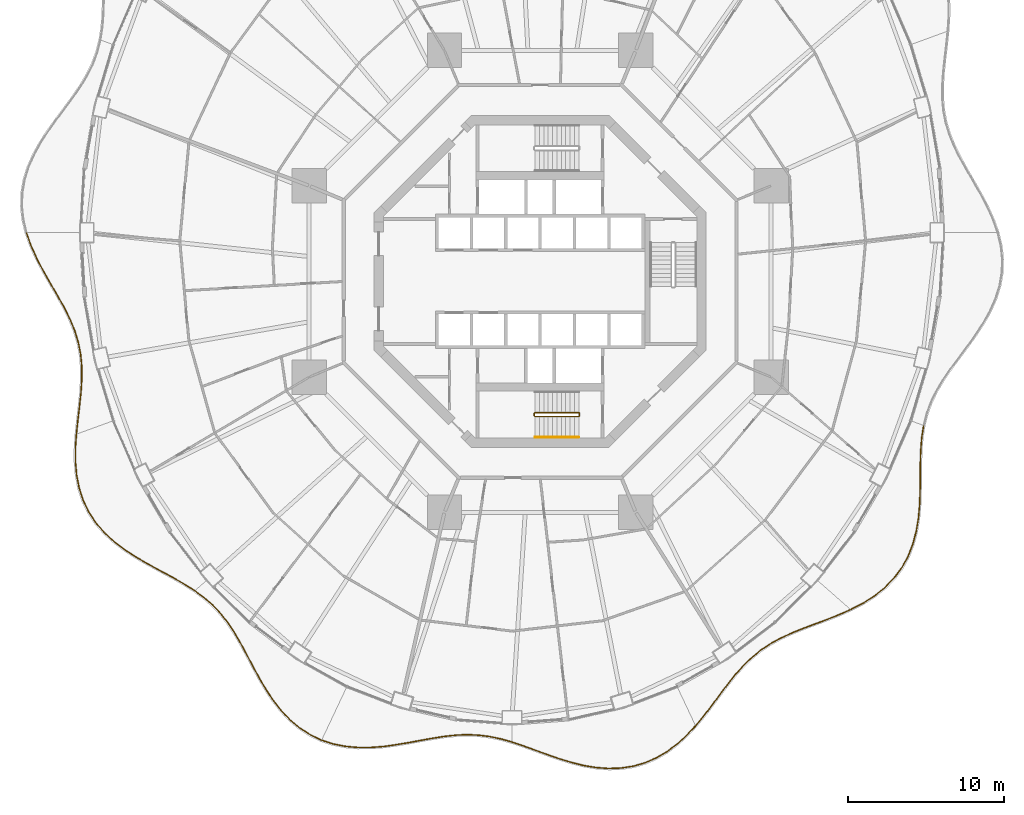
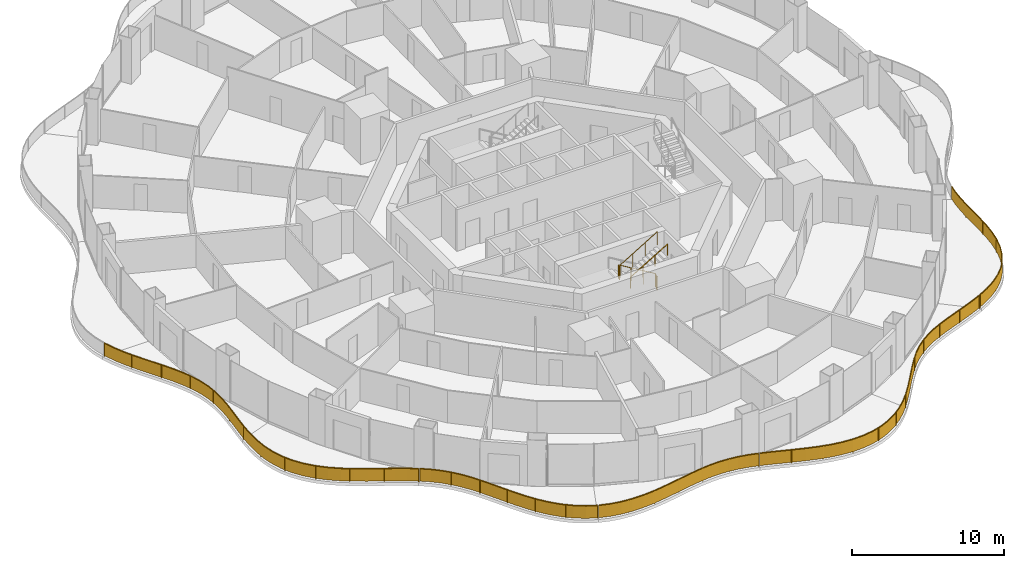
# One storey, part 21 of 23: 9 railings.
"""IFC4 building model written with IfcOpenShell, lengths in metres."""

from ifc_helpers import new_model, si_unit, direction, frame, origin, origin_2d, place, context, subcontext, project, spatial, polyline, rectangle, circle, outline, extrude, material, type_object, element, save


model = new_model("IFC4")

# Units and contexts
model_context = context("Model", 3, precision=1e-05, world=origin(), true_north=direction((0.0, 1.0)))
body_context = subcontext(model_context, "Body", "Model", "MODEL_VIEW")
ifc_project = project(units=[si_unit("LENGTHUNIT", "METRE"), si_unit("AREAUNIT", "SQUARE_METRE"), si_unit("VOLUMEUNIT", "CUBIC_METRE"), si_unit("PLANEANGLEUNIT", "RADIAN"), si_unit("MASSUNIT", "GRAM", prefix="KILO")], contexts=[model_context])

# Site, building, storey
site_placement = place(None, origin())
site = spatial("IfcSite", under=ifc_project, at=site_placement, CompositionType="ELEMENT")
building_placement = place(site_placement, origin())
building = spatial("IfcBuilding", under=site, at=building_placement, Name="Nagisa Residences", CompositionType="ELEMENT")
storey_placement = place(building_placement, frame((0.0, 0.0, 110.300048828125)))
storey = spatial("IfcBuildingStorey", under=building, at=storey_placement, Name="L27", CompositionType="ELEMENT", Elevation=110.300048828125)

# Railings
ifc_material_1 = material(Name="Stainless steel 316", Category="steel")
railing_type_1 = type_object("IfcRailingType", Name="BALCONY GUARD 1100", PredefinedType="BALUSTRADE", material=ifc_material_1)
railing_1_placement = place(storey_placement, frame((-32.86083984375, 3.081298828125, 0.0)))
element("IfcRailing", 1, at=railing_1_placement, inside=storey, type_object=railing_type_1, Name="guard:L27:bal08-0", PredefinedType="BALUSTRADE", context=body_context, shape_type="SweptSolid", body=[
    extrude(outline(polyline([(0.3046875, -0.785400390625), (0.023681640625, 0.00830078125), (-0.023681640625, -0.00830078125), (0.25830078125, -0.803955078125), (0.62939453125, -1.62841796875), (1.052001953125, -2.4345703125), (1.50048828125, -3.22216796875), (1.948486328125, -3.992919921875), (2.36865234375, -4.73681640625), (2.742919921875, -5.48681640625), (3.052001953125, -6.23681640625), (3.28466796875, -6.9931640625), (3.436279296875, -7.763671875), (3.505615234375, -8.541015625), (3.5068359375, -9.356689453125), (3.452392578125, -10.19873046875), (3.36083984375, -11.06689453125), (3.255615234375, -11.956787109375), (3.16455078125, -12.81640625), (3.21435546875, -12.82177734375), (3.305419921875, -11.962158203125), (3.41064453125, -11.072265625), (3.502197265625, -10.203125), (3.55712890625, -9.358154296875), (3.555419921875, -8.53857421875), (3.486083984375, -7.7568359375), (3.33349609375, -6.98095703125), (3.099365234375, -6.2197265625), (2.788330078125, -5.46630859375), (2.4130859375, -4.71337890625), (1.991943359375, -3.968017578125), (1.5439453125, -3.197265625), (1.095947265625, -2.41064453125), (0.67431640625, -1.6064453125), (0.3046875, -0.785400390625)])), frame((0.0, 0.0, 1.050048828125)), (0.0, 0.0, 1.0), 0.050048828125),
    extrude(outline(polyline([(0.2880859375, -0.7919921875), (0.006591796875, 0.00244140625), (-0.006591796875, -0.00244140625), (0.27490234375, -0.79736328125), (0.6455078125, -1.62060546875), (1.06787109375, -2.426025390625), (1.51611328125, -3.213134765625), (1.964111328125, -3.98388671875), (2.384765625, -4.728271484375), (2.75927734375, -5.4794921875), (3.069091796875, -6.230712890625), (3.30224609375, -6.98876953125), (3.454345703125, -7.76123046875), (3.5234375, -8.5400390625), (3.52490234375, -9.357177734375), (3.47021484375, -10.200439453125), (3.37890625, -11.06884765625), (3.273681640625, -11.958740234375), (3.182373046875, -12.818359375), (3.196533203125, -12.81982421875), (3.287353515625, -11.960205078125), (3.392578125, -11.0703125), (3.484375, -10.201416015625), (3.5390625, -9.357666015625), (3.53759765625, -8.53955078125), (3.468017578125, -7.75927734375), (3.31591796875, -6.9853515625), (3.082275390625, -6.225830078125), (2.77197265625, -5.4736328125), (2.39697265625, -4.721923828125), (1.976318359375, -3.97705078125), (1.5283203125, -3.206298828125), (1.080078125, -2.419189453125), (0.658203125, -1.6142578125), (0.2880859375, -0.7919921875)])), frame((0.0, 0.0, 0.06005859375)), (0.0, 0.0, 1.0), 0.989990234375),
    extrude(rectangle(XDim=0.0400390625, YDim=0.0400390625, at=origin_2d()), origin(), (0.0, 0.0, 1.0), 1.050048828125),
    extrude(rectangle(XDim=0.0400390625, YDim=0.0400390625, at=origin_2d()), frame((0.8955078125, -2.082275390625, 0.0)), (0.0, 0.0, 1.0), 1.050048828125),
    extrude(rectangle(XDim=0.0400390625, YDim=0.0400390625, at=origin_2d()), frame((2.013916015625, -4.0576171875, 0.0)), (0.0, 0.0, 1.0), 1.050048828125),
    extrude(rectangle(XDim=0.0400390625, YDim=0.0400390625, at=origin_2d()), frame((3.018798828125, -6.09033203125, 0.0)), (0.0, 0.0, 1.0), 1.050048828125),
    extrude(rectangle(XDim=0.0400390625, YDim=0.0400390625, at=origin_2d()), frame((3.509033203125, -8.297119140625, 0.0)), (0.0, 0.0, 1.0), 1.050048828125),
    extrude(rectangle(XDim=0.0400390625, YDim=0.0400390625, at=origin_2d()), frame((3.439208984375, -10.562744140625, 0.0)), (0.0, 0.0, 1.0), 1.050048828125),
    extrude(rectangle(XDim=0.0400390625, YDim=0.0400390625, at=origin_2d()), frame((3.189453125, -12.819091796875, 0.0)), (0.0, 0.0, 1.0), 1.050048828125),
])
railing_2_placement = place(storey_placement, frame((-29.67919921875, -9.814208984375, 0.0)))
element("IfcRailing", 2, at=railing_2_placement, inside=storey, type_object=railing_type_1, Name="guard:L27:bal09-0", PredefinedType="BALUSTRADE", context=body_context, shape_type="SweptSolid", body=[
    extrude(outline(polyline([(-0.03076171875, -0.83740234375), (0.02490234375, -0.001708984375), (-0.02490234375, 0.001708984375), (-0.08056640625, -0.8359375), (-0.08154296875, -1.71435546875), (-0.007568359375, -2.577880859375), (0.155029296875, -3.41455078125), (0.415771484375, -4.214111328125), (0.772216796875, -4.9541015625), (1.2353515625, -5.65380859375), (1.791015625, -6.296142578125), (2.42724609375, -6.88134765625), (3.12744140625, -7.411865234375), (3.864013671875, -7.88232421875), (4.633056640625, -8.32763671875), (5.406005859375, -8.748291015625), (6.163818359375, -9.158447265625), (6.889892578125, -9.5732421875), (7.53662109375, -9.98388671875), (7.5634765625, -9.94140625), (6.915771484375, -9.5302734375), (6.188232421875, -9.114501953125), (5.429931640625, -8.704345703125), (4.657470703125, -8.2841796875), (3.889892578125, -7.83935546875), (3.15625, -7.370849609375), (2.45947265625, -6.8427734375), (1.8271484375, -6.261474609375), (1.275390625, -5.62353515625), (0.815673828125, -4.92919921875), (0.462158203125, -4.195556640625), (0.203369140625, -3.40185546875), (0.042236328125, -2.571044921875), (-0.03125, -1.71240234375), (-0.03076171875, -0.83740234375)])), frame((0.0, 0.0, 1.050048828125)), (0.0, 0.0, 1.0), 0.050048828125),
    extrude(outline(polyline([(-0.048583984375, -0.8369140625), (0.007080078125, -0.00048828125), (-0.007080078125, 0.00048828125), (-0.062744140625, -0.83642578125), (-0.0634765625, -1.713623046875), (0.010498046875, -2.575439453125), (0.17236328125, -3.409912109375), (0.432373046875, -4.20751953125), (0.787841796875, -4.945068359375), (1.249755859375, -5.642822265625), (1.803955078125, -6.28369140625), (2.43896484375, -6.867431640625), (3.137939453125, -7.397216796875), (3.873291015625, -7.86669921875), (4.641845703125, -8.31201171875), (5.41455078125, -8.732421875), (6.172607421875, -9.142578125), (6.899169921875, -9.557861328125), (7.54638671875, -9.968505859375), (7.5537109375, -9.956787109375), (6.906494140625, -9.545654296875), (6.179443359375, -9.13037109375), (5.42138671875, -8.72021484375), (4.648681640625, -8.2998046875), (3.880615234375, -7.85498046875), (3.145751953125, -7.385498046875), (2.44775390625, -6.856689453125), (1.814208984375, -6.27392578125), (1.260986328125, -5.634521484375), (0.800048828125, -4.938232421875), (0.445556640625, -4.2021484375), (0.18603515625, -3.406494140625), (0.024169921875, -2.573486328125), (-0.04931640625, -1.713134765625), (-0.048583984375, -0.8369140625)])), frame((0.0, 0.0, 0.06005859375)), (0.0, 0.0, 1.0), 0.989990234375),
    extrude(rectangle(XDim=0.0400390625, YDim=0.0400390625, at=origin_2d()), origin(), (0.0, 0.0, 1.0), 1.050048828125),
    extrude(rectangle(XDim=0.0400390625, YDim=0.0400390625, at=origin_2d()), frame((-0.00927734375, -2.264404296875, 0.0)), (0.0, 0.0, 1.0), 1.050048828125),
    extrude(rectangle(XDim=0.0400390625, YDim=0.0400390625, at=origin_2d()), frame((0.55615234375, -4.4482421875, 0.0)), (0.0, 0.0, 1.0), 1.050048828125),
    extrude(rectangle(XDim=0.0400390625, YDim=0.0400390625, at=origin_2d()), frame((1.83740234375, -6.3046875, 0.0)), (0.0, 0.0, 1.0), 1.050048828125),
    extrude(rectangle(XDim=0.0400390625, YDim=0.0400390625, at=origin_2d()), frame((3.62109375, -7.697509765625, 0.0)), (0.0, 0.0, 1.0), 1.050048828125),
    extrude(rectangle(XDim=0.0400390625, YDim=0.0400390625, at=origin_2d()), frame((5.59130859375, -8.820068359375, 0.0)), (0.0, 0.0, 1.0), 1.050048828125),
    extrude(rectangle(XDim=0.0400390625, YDim=0.0400390625, at=origin_2d()), frame((7.550048828125, -9.962646484375, 0.0)), (0.0, 0.0, 1.0), 1.050048828125),
])
railing_3_placement = place(storey_placement, frame((-22.069091796875, -19.8154296875, 0.0)))
element("IfcRailing", 3, at=railing_3_placement, inside=storey, type_object=railing_type_1, Name="guard:L27:bal10-0", PredefinedType="BALUSTRADE", context=body_context, shape_type="SweptSolid", body=[
    extrude(outline(polyline([(0.58349609375, -0.39990234375), (0.014892578125, 0.02001953125), (-0.014892578125, -0.02001953125), (0.55224609375, -0.43896484375), (1.1025390625, -0.922607421875), (1.603515625, -1.45263671875), (2.06005859375, -2.0322265625), (2.48095703125, -2.661376953125), (2.864990234375, -3.32470703125), (3.24951171875, -4.03564453125), (3.635986328125, -4.771240234375), (4.03857421875, -5.5166015625), (4.470458984375, -6.255126953125), (4.92919921875, -6.95947265625), (5.44970703125, -7.629150390625), (6.025390625, -8.238525390625), (6.657958984375, -8.77197265625), (7.34619140625, -9.21875), (8.041259765625, -9.549072265625), (8.062744140625, -9.503662109375), (7.37060546875, -9.1748046875), (6.687744140625, -8.73193359375), (6.06005859375, -8.201904296875), (5.48779296875, -7.596435546875), (4.97021484375, -6.93017578125), (4.512939453125, -6.228759765625), (4.08203125, -5.4921875), (3.679931640625, -4.747802734375), (3.29345703125, -4.01220703125), (2.908447265625, -3.30029296875), (2.5234375, -2.635009765625), (2.1005859375, -2.0029296875), (1.6416015625, -1.419921875), (1.13720703125, -0.886474609375), (0.58349609375, -0.39990234375)])), frame((0.0, 0.0, 1.050048828125)), (0.0, 0.0, 1.0), 0.050048828125),
    extrude(outline(polyline([(0.572265625, -0.4140625), (0.004150390625, 0.005615234375), (-0.004150390625, -0.005615234375), (0.5634765625, -0.4248046875), (1.114990234375, -0.90966796875), (1.6171875, -1.44091796875), (2.07470703125, -2.021728515625), (2.496337890625, -2.65185546875), (2.880615234375, -3.31591796875), (3.265380859375, -4.027099609375), (3.65185546875, -4.7626953125), (4.05419921875, -5.5078125), (4.48583984375, -6.24560546875), (4.944091796875, -6.948974609375), (5.46337890625, -7.617431640625), (6.037841796875, -8.225341796875), (6.668701171875, -8.757568359375), (7.35498046875, -9.202880859375), (8.049072265625, -9.53271484375), (8.054931640625, -9.52001953125), (7.36181640625, -9.190673828125), (6.677001953125, -8.746337890625), (6.047607421875, -8.215087890625), (5.47412109375, -7.608154296875), (4.955322265625, -6.940673828125), (4.49755859375, -6.23828125), (4.06640625, -5.5009765625), (3.6640625, -4.75634765625), (3.277587890625, -4.020751953125), (2.892822265625, -3.30908203125), (2.508056640625, -2.64453125), (2.0859375, -2.013427734375), (1.6279296875, -1.431640625), (1.124755859375, -0.8994140625), (0.572265625, -0.4140625)])), frame((0.0, 0.0, 0.06005859375)), (0.0, 0.0, 1.0), 0.989990234375),
    extrude(rectangle(XDim=0.0400390625, YDim=0.0400390625, at=origin_2d()), origin(), (0.0, 0.0, 1.0), 1.050048828125),
    extrude(rectangle(XDim=0.0400390625, YDim=0.0400390625, at=origin_2d()), frame((1.585205078125, -1.396728515625, 0.0)), (0.0, 0.0, 1.0), 1.050048828125),
    extrude(rectangle(XDim=0.0400390625, YDim=0.0400390625, at=origin_2d()), frame((2.785400390625, -3.137451171875, 0.0)), (0.0, 0.0, 1.0), 1.050048828125),
    extrude(rectangle(XDim=0.0400390625, YDim=0.0400390625, at=origin_2d()), frame((3.789306640625, -5.002685546875, 0.0)), (0.0, 0.0, 1.0), 1.050048828125),
    extrude(rectangle(XDim=0.0400390625, YDim=0.0400390625, at=origin_2d()), frame((4.870361328125, -6.822998046875, 0.0)), (0.0, 0.0, 1.0), 1.050048828125),
    extrude(rectangle(XDim=0.0400390625, YDim=0.0400390625, at=origin_2d()), frame((6.265380859375, -8.408203125, 0.0)), (0.0, 0.0, 1.0), 1.050048828125),
    extrude(rectangle(XDim=0.0400390625, YDim=0.0400390625, at=origin_2d()), frame((8.052001953125, -9.5263671875, 0.0)), (0.0, 0.0, 1.0), 1.050048828125),
])
railing_4_placement = place(storey_placement, frame((-13.9453125, -29.370361328125, 0.0)))
element("IfcRailing", 4, at=railing_4_placement, inside=storey, type_object=railing_type_1, Name="guard:L27:bal11-0", PredefinedType="BALUSTRADE", context=body_context, shape_type="SweptSolid", body=[
    extrude(outline(polyline([(0.712646484375, -0.205322265625), (0.0078125, 0.023681640625), (-0.0078125, -0.023681640625), (0.699951171875, -0.253662109375), (1.486572265625, -0.409912109375), (2.296875, -0.48193359375), (3.1201171875, -0.47900390625), (3.947509765625, -0.41552734375), (4.753662109375, -0.30078125), (5.564697265625, -0.16357421875), (6.35888671875, -0.0166015625), (7.13330078125, 0.1220703125), (7.88671875, 0.236083984375), (8.603271484375, 0.313720703125), (9.321533203125, 0.3388671875), (10.02880859375, 0.307373046875), (10.731201171875, 0.21630859375), (11.43505859375, 0.067626953125), (12.103759765625, -0.121337890625), (12.117431640625, -0.072998046875), (11.447265625, 0.116455078125), (10.739501953125, 0.265625), (10.033203125, 0.357177734375), (9.321533203125, 0.38916015625), (8.599853515625, 0.363525390625), (7.88037109375, 0.285888671875), (7.125, 0.17138671875), (6.35009765625, 0.03271484375), (5.555908203125, -0.1142578125), (4.745849609375, -0.25146484375), (3.942138671875, -0.36572265625), (3.1181640625, -0.42919921875), (2.298828125, -0.431640625), (1.493896484375, -0.360107421875), (0.712646484375, -0.205322265625)])), frame((0.0, 0.0, 1.050048828125)), (0.0, 0.0, 1.0), 0.050048828125),
    extrude(outline(polyline([(0.7080078125, -0.22265625), (0.002197265625, 0.006591796875), (-0.002197265625, -0.006591796875), (0.70458984375, -0.236328125), (1.4892578125, -0.391845703125), (2.297607421875, -0.4638671875), (3.119384765625, -0.461181640625), (3.945556640625, -0.397705078125), (4.750732421875, -0.282958984375), (5.5615234375, -0.145751953125), (6.355712890625, 0.001220703125), (7.13037109375, 0.139892578125), (7.884521484375, 0.254150390625), (8.60205078125, 0.33154296875), (9.321533203125, 0.35693359375), (10.030517578125, 0.3251953125), (10.734130859375, 0.234130859375), (11.439453125, 0.085205078125), (12.108642578125, -0.10400390625), (12.112548828125, -0.09033203125), (11.44287109375, 0.098876953125), (10.736572265625, 0.247802734375), (10.031494140625, 0.33935546875), (9.321533203125, 0.37109375), (8.60107421875, 0.345703125), (7.882568359375, 0.267822265625), (7.1279296875, 0.153564453125), (6.353271484375, 0.014892578125), (5.55908203125, -0.132080078125), (4.748779296875, -0.269287109375), (3.944091796875, -0.383544921875), (3.118896484375, -0.447021484375), (2.298095703125, -0.44970703125), (1.4912109375, -0.378173828125), (0.7080078125, -0.22265625)])), frame((0.0, 0.0, 0.06005859375)), (0.0, 0.0, 1.0), 0.989990234375),
    extrude(rectangle(XDim=0.0400390625, YDim=0.0400390625, at=origin_2d()), origin(), (0.0, 0.0, 1.0), 1.050048828125),
    extrude(rectangle(XDim=0.0400390625, YDim=0.0400390625, at=origin_2d()), frame((1.9921875, -0.4296875, 0.0)), (0.0, 0.0, 1.0), 1.050048828125),
    extrude(rectangle(XDim=0.0400390625, YDim=0.0400390625, at=origin_2d()), frame((4.033447265625, -0.3779296875, 0.0)), (0.0, 0.0, 1.0), 1.050048828125),
    extrude(rectangle(XDim=0.0400390625, YDim=0.0400390625, at=origin_2d()), frame((6.05224609375, -0.0478515625, 0.0)), (0.0, 0.0, 1.0), 1.050048828125),
    extrude(rectangle(XDim=0.0400390625, YDim=0.0400390625, at=origin_2d()), frame((8.07080078125, 0.28125, 0.0)), (0.0, 0.0, 1.0), 1.050048828125),
    extrude(rectangle(XDim=0.0400390625, YDim=0.0400390625, at=origin_2d()), frame((10.11181640625, 0.32177734375, 0.0)), (0.0, 0.0, 1.0), 1.050048828125),
    extrude(rectangle(XDim=0.0400390625, YDim=0.0400390625, at=origin_2d()), frame((12.110595703125, -0.09716796875, 0.0)), (0.0, 0.0, 1.0), 1.050048828125),
])
railing_5_placement = place(storey_placement, frame((-1.765869140625, -29.490966796875, 0.0)))
element("IfcRailing", 5, at=railing_5_placement, inside=storey, type_object=railing_type_1, Name="guard:L27:bal12-0", PredefinedType="BALUSTRADE", context=body_context, shape_type="SweptSolid", body=[
    extrude(outline(polyline([(0.690673828125, -0.205078125), (0.008056640625, 0.023681640625), (-0.008056640625, -0.023681640625), (0.674072265625, -0.25244140625), (1.41552734375, -0.52001953125), (2.17578125, -0.798583984375), (2.954345703125, -1.068359375), (3.74951171875, -1.311767578125), (4.5400390625, -1.51171875), (5.3544921875, -1.646728515625), (6.16796875, -1.704833984375), (6.97216796875, -1.6748046875), (7.759033203125, -1.549560546875), (8.503173828125, -1.33203125), (9.231201171875, -1.01318359375), (9.9208984375, -0.605224609375), (10.569091796875, -0.117919921875), (11.175537109375, 0.435302734375), (11.707275390625, 1.006103515625), (11.670654296875, 1.040283203125), (11.140380859375, 0.470947265625), (10.537353515625, -0.079345703125), (9.89306640625, -0.563720703125), (9.208251953125, -0.96875), (8.486083984375, -1.28466796875), (7.747802734375, -1.500732421875), (6.96728515625, -1.625), (6.1689453125, -1.654541015625), (5.3603515625, -1.596923828125), (4.55029296875, -1.462890625), (3.76318359375, -1.263427734375), (2.969970703125, -1.02099609375), (2.1923828125, -0.751220703125), (1.4326171875, -0.47314453125), (0.690673828125, -0.205078125)])), frame((0.0, 0.0, 1.050048828125)), (0.0, 0.0, 1.0), 0.050048828125),
    extrude(outline(polyline([(0.6845703125, -0.22216796875), (0.002197265625, 0.006591796875), (-0.002197265625, -0.006591796875), (0.68017578125, -0.2353515625), (1.421630859375, -0.503173828125), (2.181640625, -0.781494140625), (2.9599609375, -1.05126953125), (3.75439453125, -1.29443359375), (4.543701171875, -1.494140625), (5.356689453125, -1.62890625), (6.16845703125, -1.686767578125), (6.970458984375, -1.656982421875), (7.7548828125, -1.531982421875), (8.4970703125, -1.31494140625), (9.222900390625, -0.997314453125), (9.910888671875, -0.59033203125), (10.5576171875, -0.10400390625), (11.162841796875, 0.4482421875), (11.694091796875, 1.018310546875), (11.683837890625, 1.028076171875), (11.153076171875, 0.4580078125), (10.548828125, -0.09326171875), (9.903076171875, -0.57861328125), (9.216552734375, -0.984619140625), (8.4921875, -1.3017578125), (7.751953125, -1.518310546875), (6.968994140625, -1.642822265625), (6.16845703125, -1.672607421875), (5.358154296875, -1.61474609375), (4.546630859375, -1.48046875), (3.75830078125, -1.28076171875), (2.96435546875, -1.0380859375), (2.1865234375, -0.768310546875), (1.426513671875, -0.489990234375), (0.6845703125, -0.22216796875)])), frame((0.0, 0.0, 0.06005859375)), (0.0, 0.0, 1.0), 0.989990234375),
    extrude(rectangle(XDim=0.0400390625, YDim=0.0400390625, at=origin_2d()), origin(), (0.0, 0.0, 1.0), 1.050048828125),
    extrude(rectangle(XDim=0.0400390625, YDim=0.0400390625, at=origin_2d()), frame((2.0087890625, -0.710693359375, 0.0)), (0.0, 0.0, 1.0), 1.050048828125),
    extrude(rectangle(XDim=0.0400390625, YDim=0.0400390625, at=origin_2d()), frame((4.03759765625, -1.35888671875, 0.0)), (0.0, 0.0, 1.0), 1.050048828125),
    extrude(rectangle(XDim=0.0400390625, YDim=0.0400390625, at=origin_2d()), frame((6.1396484375, -1.677734375, 0.0)), (0.0, 0.0, 1.0), 1.050048828125),
    extrude(rectangle(XDim=0.0400390625, YDim=0.0400390625, at=origin_2d()), frame((8.239501953125, -1.383056640625, 0.0)), (0.0, 0.0, 1.0), 1.050048828125),
    extrude(rectangle(XDim=0.0400390625, YDim=0.0400390625, at=origin_2d()), frame((10.126953125, -0.419189453125, 0.0)), (0.0, 0.0, 1.0), 1.050048828125),
    extrude(rectangle(XDim=0.0400390625, YDim=0.0400390625, at=origin_2d()), frame((11.68896484375, 1.023193359375, 0.0)), (0.0, 0.0, 1.0), 1.050048828125),
])
railing_6_placement = place(storey_placement, frame((9.97314453125, -28.4091796875, 0.0)))
element("IfcRailing", 6, at=railing_6_placement, inside=storey, type_object=railing_type_1, Name="guard:L27:bal13-0", PredefinedType="BALUSTRADE", context=body_context, shape_type="SweptSolid", body=[
    extrude(outline(polyline([(0.49755859375, 0.640869140625), (-0.019287109375, 0.015869140625), (0.019287109375, -0.015869140625), (0.53662109375, 0.609619140625), (1.055908203125, 1.285400390625), (1.55419921875, 1.95751953125), (2.043212890625, 2.608642578125), (2.535400390625, 3.224609375), (3.02783203125, 3.78515625), (3.56005859375, 4.30224609375), (4.126708984375, 4.764404296875), (4.734375, 5.173583984375), (5.385498046875, 5.535888671875), (6.068115234375, 5.8505859375), (6.8017578125, 6.150634765625), (7.565673828125, 6.43994140625), (8.34912109375, 6.73291015625), (9.1376953125, 7.044921875), (9.87353515625, 7.36865234375), (9.853515625, 7.41455078125), (9.1181640625, 7.09130859375), (8.3310546875, 6.77978515625), (7.548095703125, 6.48681640625), (6.783203125, 6.197021484375), (6.048095703125, 5.896484375), (5.363037109375, 5.580322265625), (4.7080078125, 5.216064453125), (4.096923828125, 4.804443359375), (3.52685546875, 4.33984375), (2.99169921875, 3.81982421875), (2.496826171875, 3.2568359375), (2.003662109375, 2.639404296875), (1.51416015625, 1.9873046875), (1.015869140625, 1.315673828125), (0.49755859375, 0.640869140625)])), frame((0.0, 0.0, 1.050048828125)), (0.0, 0.0, 1.0), 0.050048828125),
    extrude(outline(polyline([(0.51171875, 0.629638671875), (-0.00537109375, 0.00439453125), (0.00537109375, -0.00439453125), (0.5224609375, 0.620849609375), (1.04150390625, 1.29638671875), (1.539794921875, 1.96826171875), (2.029052734375, 2.61962890625), (2.521484375, 3.236328125), (3.014892578125, 3.797607421875), (3.548095703125, 4.31591796875), (4.115966796875, 4.77880859375), (4.724853515625, 5.18896484375), (5.37744140625, 5.5517578125), (6.060791015625, 5.8671875), (6.795166015625, 6.167236328125), (7.559326171875, 6.456787109375), (8.342529296875, 6.749755859375), (9.130615234375, 7.061767578125), (9.866455078125, 7.38525390625), (9.860595703125, 7.39794921875), (9.125244140625, 7.074462890625), (8.337646484375, 6.762939453125), (7.554443359375, 6.469970703125), (6.789794921875, 6.180419921875), (6.055419921875, 5.8798828125), (5.37109375, 5.564453125), (4.717529296875, 5.20068359375), (4.107666015625, 4.7900390625), (3.538818359375, 4.326171875), (3.004638671875, 3.807373046875), (2.5107421875, 3.2451171875), (2.017822265625, 2.62841796875), (1.528564453125, 1.9765625), (1.0302734375, 1.3046875), (0.51171875, 0.629638671875)])), frame((0.0, 0.0, 0.06005859375)), (0.0, 0.0, 1.0), 0.989990234375),
    extrude(rectangle(XDim=0.0400390625, YDim=0.0400390625, at=origin_2d()), origin(), (0.0, 0.0, 1.0), 1.050048828125),
    extrude(rectangle(XDim=0.0400390625, YDim=0.0400390625, at=origin_2d()), frame((1.302490234375, 1.659912109375, 0.0)), (0.0, 0.0, 1.0), 1.050048828125),
    extrude(rectangle(XDim=0.0400390625, YDim=0.0400390625, at=origin_2d()), frame((2.59326171875, 3.32861328125, 0.0)), (0.0, 0.0, 1.0), 1.050048828125),
    extrude(rectangle(XDim=0.0400390625, YDim=0.0400390625, at=origin_2d()), frame((4.113525390625, 4.78564453125, 0.0)), (0.0, 0.0, 1.0), 1.050048828125),
    extrude(rectangle(XDim=0.0400390625, YDim=0.0400390625, at=origin_2d()), frame((5.946533203125, 5.822021484375, 0.0)), (0.0, 0.0, 1.0), 1.050048828125),
    extrude(rectangle(XDim=0.0400390625, YDim=0.0400390625, at=origin_2d()), frame((7.90966796875, 6.595458984375, 0.0)), (0.0, 0.0, 1.0), 1.050048828125),
    extrude(rectangle(XDim=0.0400390625, YDim=0.0400390625, at=origin_2d()), frame((9.863525390625, 7.3916015625, 0.0)), (0.0, 0.0, 1.0), 1.050048828125),
])
railing_7_placement = place(storey_placement, frame((19.90673828125, -20.985107421875, 0.0)))
element("IfcRailing", 7, at=railing_7_placement, inside=storey, type_object=railing_type_1, Name="guard:L27:bal14-0", PredefinedType="BALUSTRADE", context=body_context, shape_type="SweptSolid", body=[
    extrude(outline(polyline([(0.733154296875, 0.4072265625), (-0.011474609375, 0.022216796875), (0.011474609375, -0.022216796875), (0.758056640625, 0.36376953125), (1.49609375, 0.83349609375), (2.16796875, 1.3701171875), (2.760009765625, 1.976318359375), (3.260986328125, 2.650146484375), (3.6591796875, 3.375732421875), (3.9697265625, 4.16748046875), (4.18994140625, 5.00244140625), (4.3310546875, 5.867431640625), (4.408203125, 6.74951171875), (4.433837890625, 7.622314453125), (4.442138671875, 8.499755859375), (4.448974609375, 9.359375), (4.475341796875, 10.193359375), (4.541015625, 10.997314453125), (4.654541015625, 11.729248046875), (4.605224609375, 11.737060546875), (4.4912109375, 11.003173828125), (4.425537109375, 10.1962890625), (4.399169921875, 9.3603515625), (4.392333984375, 8.500244140625), (4.384033203125, 7.623291015625), (4.3583984375, 6.75244140625), (4.28125, 5.873779296875), (4.14111328125, 5.0126953125), (3.921875, 4.18310546875), (3.61376953125, 3.397216796875), (3.218994140625, 2.677001953125), (2.721923828125, 2.009033203125), (2.13427734375, 1.4072265625), (1.466796875, 0.87451171875), (0.733154296875, 0.4072265625)])), frame((0.0, 0.0, 1.050048828125)), (0.0, 0.0, 1.0), 0.050048828125),
    extrude(outline(polyline([(0.7421875, 0.3916015625), (-0.003173828125, 0.006103515625), (0.003173828125, -0.006103515625), (0.7490234375, 0.37939453125), (1.485595703125, 0.848388671875), (2.15576171875, 1.383544921875), (2.746337890625, 1.988037109375), (3.245849609375, 2.65966796875), (3.642822265625, 3.383544921875), (3.952392578125, 4.173095703125), (4.17236328125, 5.006103515625), (4.31298828125, 5.86962890625), (4.390380859375, 6.75048828125), (4.416015625, 7.62255859375), (4.42431640625, 8.5), (4.43115234375, 9.359619140625), (4.45751953125, 10.1943359375), (4.52294921875, 10.99951171875), (4.63671875, 11.732177734375), (4.623046875, 11.734130859375), (4.50927734375, 11.0009765625), (4.443359375, 10.1953125), (4.4169921875, 9.360107421875), (4.41015625, 8.5), (4.40185546875, 7.623046875), (4.376220703125, 6.75146484375), (4.29931640625, 5.87158203125), (4.15869140625, 5.009033203125), (3.939208984375, 4.177490234375), (3.630126953125, 3.389404296875), (3.234130859375, 2.66748046875), (2.735595703125, 1.997314453125), (2.146484375, 1.393798828125), (1.477294921875, 0.859619140625), (0.7421875, 0.3916015625)])), frame((0.0, 0.0, 0.06005859375)), (0.0, 0.0, 1.0), 0.989990234375),
    extrude(rectangle(XDim=0.0400390625, YDim=0.0400390625, at=origin_2d()), origin(), (0.0, 0.0, 1.0), 1.050048828125),
    extrude(rectangle(XDim=0.0400390625, YDim=0.0400390625, at=origin_2d()), frame((1.906494140625, 1.193359375, 0.0)), (0.0, 0.0, 1.0), 1.050048828125),
    extrude(rectangle(XDim=0.0400390625, YDim=0.0400390625, at=origin_2d()), frame((3.3662109375, 2.8935546875, 0.0)), (0.0, 0.0, 1.0), 1.050048828125),
    extrude(rectangle(XDim=0.0400390625, YDim=0.0400390625, at=origin_2d()), frame((4.161865234375, 4.99365234375, 0.0)), (0.0, 0.0, 1.0), 1.050048828125),
    extrude(rectangle(XDim=0.0400390625, YDim=0.0400390625, at=origin_2d()), frame((4.3974609375, 7.23388671875, 0.0)), (0.0, 0.0, 1.0), 1.050048828125),
    extrude(rectangle(XDim=0.0400390625, YDim=0.0400390625, at=origin_2d()), frame((4.42822265625, 9.4892578125, 0.0)), (0.0, 0.0, 1.0), 1.050048828125),
    extrude(rectangle(XDim=0.0400390625, YDim=0.0400390625, at=origin_2d()), frame((4.6298828125, 11.733154296875, 0.0)), (0.0, 0.0, 1.0), 1.050048828125),
])
ifc_material_2 = material(Name="Stainless steel", Category="steel")
railing_type_2 = type_object("IfcRailingType", Name="Stair guard 1100", PredefinedType="GUARDRAIL", material=ifc_material_2)
railing_8_placement = place(storey_placement, frame((2.52490234375, -8.599609375, 0.0)))
element("IfcRailing", 8, at=railing_8_placement, inside=storey, type_object=railing_type_2, Name="L27 ST-S stair guard 1", PredefinedType="GUARDRAIL", context=body_context, shape_type="SweptSolid", body=[
    extrude(circle(Radius=0.02392578125, at=origin_2d()), frame((0.0, 0.0, 1.076171875), z_axis=(0.0, 1.0, 0.0), x_axis=(-1.0, 0.0, 0.0)), (0.0, 0.0, 1.0), 0.14990234375),
    extrude(circle(Radius=0.02392578125, at=origin_2d()), frame((0.0, 0.14990234375, 1.076171875), z_axis=(-0.273006030465, 0.27434429532, 0.922064485248), x_axis=(-0.708833529934, -0.705375805398, 0.0)), (0.0, 0.0, 1.0), 0.182373046875),
    extrude(circle(Radius=0.02392578125, at=origin_2d()), frame((-0.0498046875, 0.199951171875, 1.244140625), z_axis=(-0.857275202839, 0.0, 0.514858452973), x_axis=(0.0, -1.0, 0.0)), (0.0, 0.0, 1.0), 3.26611328125),
    extrude(circle(Radius=0.02392578125, at=origin_2d()), frame((-2.849853515625, 0.199951171875, 2.92578125), z_axis=(-0.707106781187, -0.707106781187, 0.0), x_axis=(0.707106781187, -0.707106781187, 0.0)), (0.0, 0.0, 1.0), 0.07080078125),
    extrude(circle(Radius=0.02392578125, at=origin_2d()), frame((-2.89990234375, 0.14990234375, 2.92578125), z_axis=(0.0, -1.0, 0.0), x_axis=(1.0, 0.0, 0.0)), (0.0, 0.0, 1.0), 0.14990234375),
    extrude(circle(Radius=0.02392578125, at=origin_2d()), frame((-2.89990234375, 0.0, 2.92578125), z_axis=(0.274243871929, -0.274243871929, 0.92172696468), x_axis=(0.707106781187, 0.707106781187, 0.0)), (0.0, 0.0, 1.0), 0.1826171875),
    extrude(circle(Radius=0.02392578125, at=origin_2d()), frame((-2.849853515625, -0.050048828125, 3.09423828125), z_axis=(0.857242210791, 0.0, 0.514913383045), x_axis=(0.0, 1.0, 0.0)), (0.0, 0.0, 1.0), 3.266357421875),
    extrude(circle(Radius=0.02099609375, at=origin_2d()), origin(), (0.0, 0.0, 1.0), 1.052001953125),
    extrude(circle(Radius=0.02099609375, at=origin_2d()), frame((0.0, 0.14990234375, 0.0)), (0.0, 0.0, 1.0), 1.052001953125),
    extrude(circle(Radius=0.02099609375, at=origin_2d()), frame((-0.0498046875, 0.199951171875, 0.168212890625)), (0.0, 0.0, 1.0), 1.052001953125),
    extrude(circle(Radius=0.02099609375, at=origin_2d()), frame((-0.983154296875, 0.199951171875, 0.728759765625)), (0.0, 0.0, 1.0), 1.052001953125),
    extrude(circle(Radius=0.02099609375, at=origin_2d()), frame((-1.91650390625, 0.199951171875, 1.289306640625)), (0.0, 0.0, 1.0), 1.052001953125),
    extrude(circle(Radius=0.02099609375, at=origin_2d()), frame((-2.849853515625, 0.199951171875, 1.849853515625)), (0.0, 0.0, 1.0), 1.052001953125),
    extrude(circle(Radius=0.02099609375, at=origin_2d()), frame((-2.89990234375, 0.14990234375, 1.849853515625)), (0.0, 0.0, 1.0), 1.052001953125),
    extrude(circle(Radius=0.02099609375, at=origin_2d()), frame((-2.89990234375, 0.0, 1.849853515625)), (0.0, 0.0, 1.0), 1.052001953125),
    extrude(circle(Radius=0.02099609375, at=origin_2d()), frame((-2.849853515625, -0.050048828125, 2.01806640625)), (0.0, 0.0, 1.0), 1.052001953125),
    extrude(circle(Radius=0.02099609375, at=origin_2d()), frame((-1.91650390625, -0.050048828125, 2.57861328125)), (0.0, 0.0, 1.0), 1.052001953125),
    extrude(circle(Radius=0.02099609375, at=origin_2d()), frame((-0.983154296875, -0.050048828125, 3.139404296875)), (0.0, 0.0, 1.0), 1.052001953125),
    extrude(circle(Radius=0.02099609375, at=origin_2d()), frame((-0.0498046875, -0.050048828125, 3.699951171875)), (0.0, 0.0, 1.0), 1.052001953125),
])
ifc_material_3 = material(Name="Stainless steel", Category="steel")
railing_type_3 = type_object("IfcRailingType", Name="Stair handrail 900", PredefinedType="HANDRAIL", material=ifc_material_3)
railing_9_placement = place(storey_placement, frame((-0.324951171875, -9.974609375, 2.01806640625)))
element("IfcRailing", 9, at=railing_9_placement, inside=storey, type_object=railing_type_3, Name="L27 ST-S stair handrail 2", PredefinedType="HANDRAIL", context=body_context, shape_type="SweptSolid", body=[
    extrude(circle(Radius=0.02392578125, at=origin_2d()), frame((0.0, 0.0, 0.8759765625), z_axis=(0.857242210791, 0.0, 0.514913383045), x_axis=(0.0, 1.0, 0.0)), (0.0, 0.0, 1.0), 3.266357421875),
    extrude(circle(Radius=0.02099609375, at=origin_2d()), origin(), (0.0, 0.0, 1.0), 0.851806640625),
    extrude(circle(Radius=0.02099609375, at=origin_2d()), frame((0.933349609375, 0.0, 0.560546875)), (0.0, 0.0, 1.0), 0.851806640625),
    extrude(circle(Radius=0.02099609375, at=origin_2d()), frame((1.86669921875, 0.0, 1.121337890625)), (0.0, 0.0, 1.0), 0.851806640625),
    extrude(circle(Radius=0.02099609375, at=origin_2d()), frame((2.800048828125, 0.0, 1.681884765625)), (0.0, 0.0, 1.0), 0.851806640625),
])

save(model, "model.ifc")
